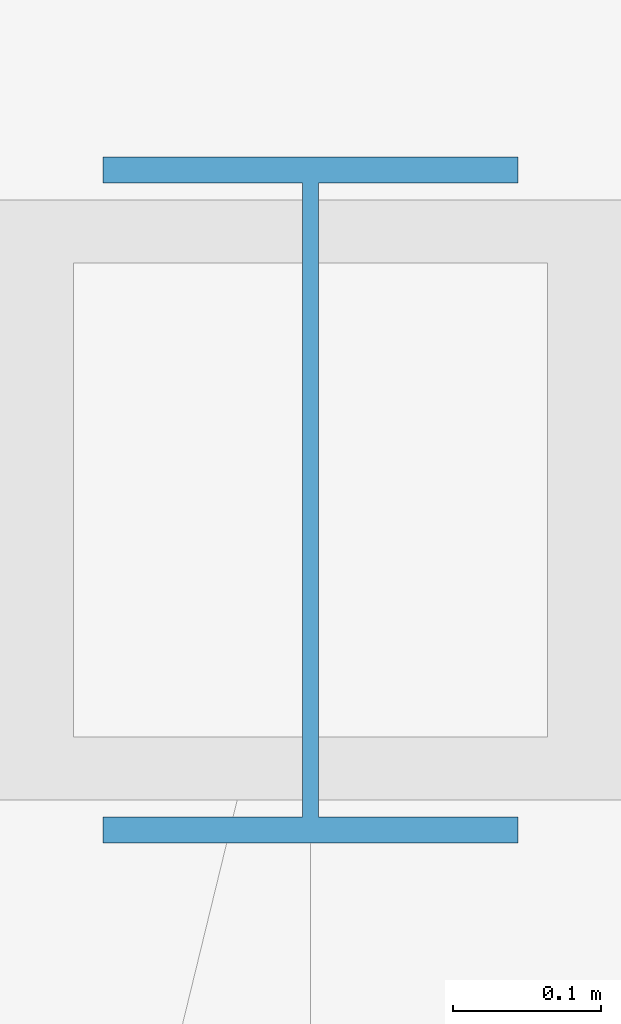
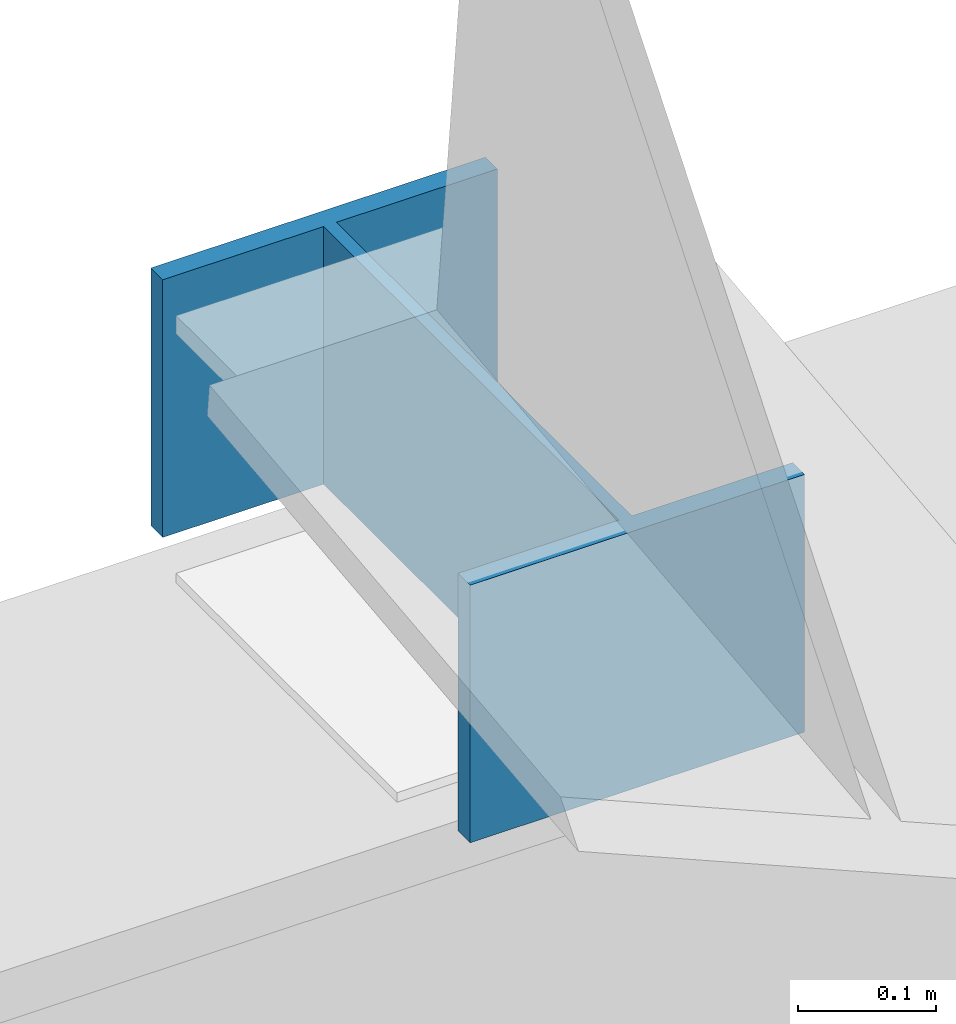
# One storey, part 17 of 52: 1 member.
"""IFC4 building model written with IfcOpenShell, lengths in metres."""

from ifc_helpers import new_model, si_unit, direction, frame, origin, origin_2d, place, context, subcontext, project, spatial, i_section, extrude, material, material_profile, profile_set, type_object, element, save


model = new_model("IFC4")

# Units and contexts
model_context = context("Model", 3, precision=1e-05, world=origin(), true_north=direction((0.0, 1.0)))
body_context = subcontext(model_context, "Body", "Model", "MODEL_VIEW")
ifc_project = project(units=[si_unit("LENGTHUNIT", "METRE"), si_unit("AREAUNIT", "SQUARE_METRE"), si_unit("VOLUMEUNIT", "CUBIC_METRE"), si_unit("PLANEANGLEUNIT", "RADIAN"), si_unit("MASSUNIT", "GRAM", prefix="KILO")], contexts=[model_context])

# Site, building, storey
site_placement = place(None, origin())
site = spatial("IfcSite", under=ifc_project, at=site_placement, CompositionType="ELEMENT")
building_placement = place(site_placement, origin())
building = spatial("IfcBuilding", under=site, at=building_placement, Name="Vaelkrest Opera House", CompositionType="ELEMENT")
storey_placement = place(building_placement, frame((0.0, 0.0, 41.39990234375)))
storey = spatial("IfcBuildingStorey", under=building, at=storey_placement, Name="ROOF", CompositionType="ELEMENT", Elevation=41.39990234375)

# Member
ifc_material = material(Name="Steel A992 Gr50", Category="steel")
ifc_material_profile = material_profile(ifc_material, i_section(OverallWidth=0.280029296875, OverallDepth=0.462890625, WebThickness=0.0107421875, FlangeThickness=0.017333984375, at=origin_2d()), Name="W18X76")
ifc_profile_set = profile_set([ifc_material_profile], Name="Steel A992 Gr50")
member_type = type_object("IfcMemberType", Name="TC01", PredefinedType="CHORD", material=ifc_profile_set)
member_placement = place(storey_placement, frame((27.0, 42.0, 1.68505859375), z_axis=(0.0, 0.0, 1.0), x_axis=(1.0, 0.0, 0.0)))
element("IfcMember", 1, at=member_placement, inside=storey, type_object=member_type, Name="Ridge saddle post V2-N-15", PredefinedType="CHORD", context=body_context, shape_type="SweptSolid", body=[
    extrude(i_section(OverallWidth=0.280029296875, OverallDepth=0.462890625, WebThickness=0.0107421875, FlangeThickness=0.017333984375, at=origin_2d()), origin(), (0.0, 0.0, 1.0), 0.22802734375),
])

save(model, "model.ifc")
